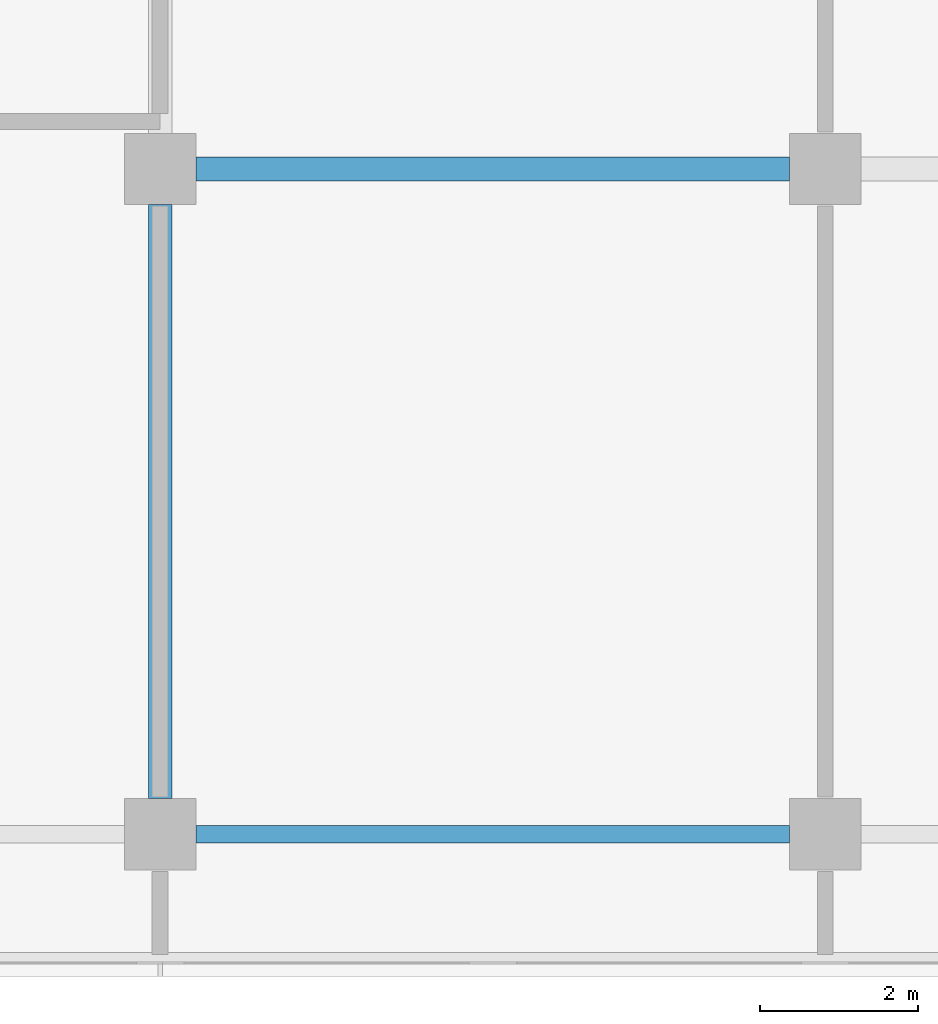
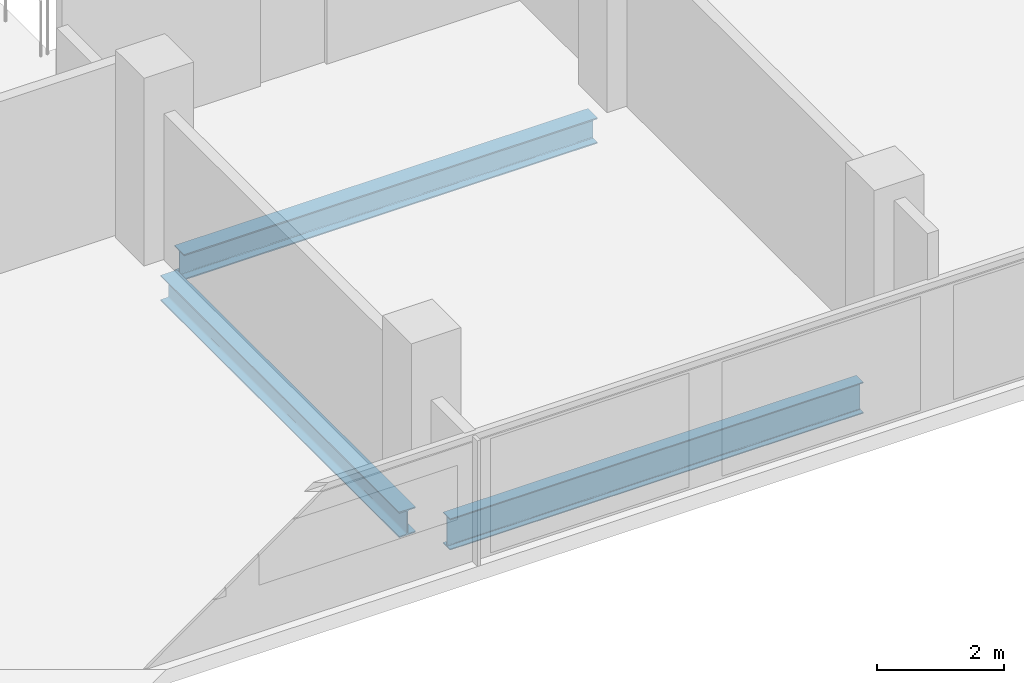
# One storey, part 3 of 25: 3 beams.
"""IFC4 building model written with IfcOpenShell, lengths in metres."""

from ifc_helpers import new_model, si_unit, direction, frame, origin, origin_2d, place, context, subcontext, project, spatial, i_section, extrude, material, material_profile, profile_set, type_object, element, save


model = new_model("IFC4")

# Units and contexts
model_context = context("Model", 3, precision=1e-05, world=origin(), true_north=direction((0.0, 1.0)))
body_context = subcontext(model_context, "Body", "Model", "MODEL_VIEW")
ifc_project = project(units=[si_unit("LENGTHUNIT", "METRE"), si_unit("AREAUNIT", "SQUARE_METRE"), si_unit("VOLUMEUNIT", "CUBIC_METRE"), si_unit("PLANEANGLEUNIT", "RADIAN"), si_unit("MASSUNIT", "GRAM", prefix="KILO")], contexts=[model_context])

# Site, building, storey
site_placement = place(None, origin())
site = spatial("IfcSite", under=ifc_project, at=site_placement, CompositionType="ELEMENT")
building_placement = place(site_placement, origin())
building = spatial("IfcBuilding", under=site, at=building_placement, Name="Saffron Gate Tower", CompositionType="ELEMENT")
storey_placement = place(building_placement, frame((0.0, 0.0, 80.39990234375)))
storey = spatial("IfcBuildingStorey", under=building, at=storey_placement, Name="L19", CompositionType="ELEMENT", Elevation=80.39990234375)

# Beams
ifc_material = material(Name="Structural steel S355", Category="steel")
ifc_material_profile_1 = material_profile(ifc_material, i_section(OverallWidth=0.219970703125, OverallDepth=0.60009765625, WebThickness=0.011962890625, FlangeThickness=0.01904296875, FilletRadius=0.02392578125, at=origin_2d()))
ifc_profile_set_1 = profile_set([ifc_material_profile_1], Name="Structural steel S355")
beam_type_1 = type_object("IfcBeamType", Name="B16 IPE 600", PredefinedType="SPANDREL", material=ifc_profile_set_1)
beam_placement = place(storey_placement, frame((75.449951171875, 31.800048828125, -0.579833984375), z_axis=(1.0, 0.0, 0.0), x_axis=(0.0, 1.0, 0.0)))
element("IfcBeam", 1, at=beam_placement, inside=storey, type_object=beam_type_1, Name="B16 SPANDREL BEAM", PredefinedType="SPANDREL", context=body_context, shape_type="SweptSolid", body=[
    extrude(i_section(OverallWidth=0.219970703125, OverallDepth=0.60009765625, WebThickness=0.011962890625, FlangeThickness=0.01904296875, FilletRadius=0.02392578125, at=origin_2d()), origin(), (0.0, 0.0, 1.0), 7.5),
])
ifc_material_profile_2 = material_profile(ifc_material, i_section(OverallWidth=0.300048828125, OverallDepth=0.489990234375, WebThickness=0.011962890625, FlangeThickness=0.02294921875, FilletRadius=0.027099609375, at=origin_2d()))
ifc_profile_set_2 = profile_set([ifc_material_profile_2], Name="Structural steel S355")
beam_type_2 = type_object("IfcBeamType", Name="B8 HEA 500", PredefinedType="BEAM", material=ifc_profile_set_2)
for number, where, z_axis, x_axis, name in (
    (2, (75.0, 32.25, -0.52490234375), (0.0, 1.0, 0.0), (-1.0, 0.0, 0.0), "B8 FLOOR GIRDER"),
    (3, (75.449951171875, 40.199951171875, -0.52490234375), (1.0, 0.0, 0.0), (0.0, 1.0, 0.0), "B8 FLOOR GIRDER"),
):
    element("IfcBeam", number, at=place(storey_placement, frame(where, z_axis=z_axis, x_axis=x_axis)), inside=storey, type_object=beam_type_2, Name=name, PredefinedType="BEAM", context=body_context, shape_type="SweptSolid", body=[
        extrude(i_section(OverallWidth=0.300048828125, OverallDepth=0.489990234375, WebThickness=0.011962890625, FlangeThickness=0.02294921875, FilletRadius=0.027099609375, at=origin_2d()), origin(), (0.0, 0.0, 1.0), 7.5),
    ])

save(model, "model.ifc")
